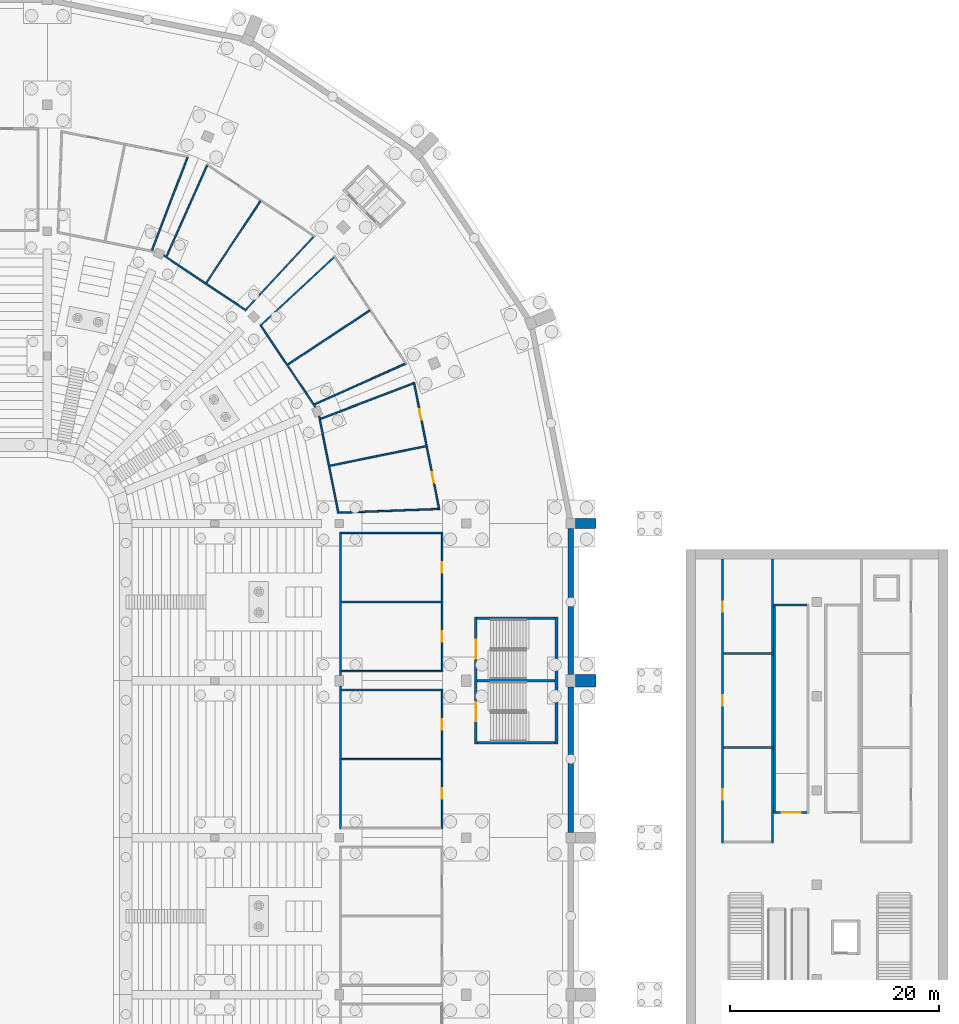
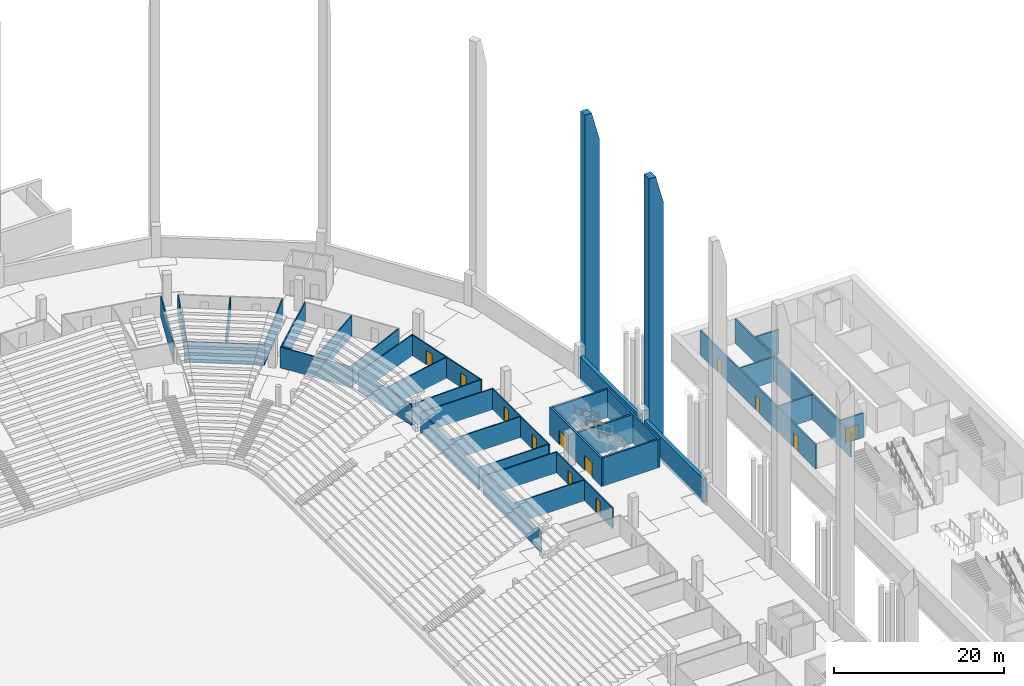
# One storey, part 38 of 115: 39 walls, 12 doors, 12 openings.
"""IFC4 building model written with IfcOpenShell, lengths in metres."""

from ifc_helpers import new_model, si_unit, direction, frame, frame_2d, origin, place, context, subcontext, project, spatial, polyline, rectangle, outline, extrude, material, layer, layer_set, type_object, element, fill, save


model = new_model("IFC4")

# Units and contexts
model_context = context("Model", 3, precision=1e-05, world=origin(), true_north=direction((0.0, 1.0)))
body_context = subcontext(model_context, "Body", "Model", "MODEL_VIEW")
ifc_project = project(units=[si_unit("LENGTHUNIT", "METRE"), si_unit("AREAUNIT", "SQUARE_METRE"), si_unit("VOLUMEUNIT", "CUBIC_METRE"), si_unit("PLANEANGLEUNIT", "RADIAN"), si_unit("MASSUNIT", "GRAM", prefix="KILO")], contexts=[model_context])

# Site, building, storey
site_placement = place(None, origin())
site = spatial("IfcSite", under=ifc_project, at=site_placement, CompositionType="ELEMENT")
building_placement = place(site_placement, origin())
building = spatial("IfcBuilding", under=site, at=building_placement, Name="Ogive Plaza Stadium", CompositionType="ELEMENT")
storey_placement = place(building_placement, frame((0.0, 0.0, -4.5)))
storey = spatial("IfcBuildingStorey", under=building, at=storey_placement, Name="B1", CompositionType="ELEMENT", Elevation=-4.5)

# Wall
ifc_material_1 = material(Name="Masonry blockwork", Category="masonry")
ifc_layer_1 = layer(ifc_material_1, 0.14990234375)
ifc_layer_set_1 = layer_set([ifc_layer_1], Name="Blockwork wall 150")
wall_type_1 = type_object("IfcWallType", Name="Blockwork wall 150", PredefinedType="SOLIDWALL", material=ifc_layer_set_1)
wall_1_placement = place(storey_placement, frame((62.0, 38.0, 0.0), z_axis=(0.0, 0.0, 1.0), x_axis=(0.0, 1.0, 0.0)))
element("IfcWall", 1, at=wall_1_placement, inside=storey, type_object=wall_type_1, Name="Wall B1 B01", PredefinedType="SOLIDWALL", context=body_context, shape_type="SweptSolid", body=[
    extrude(rectangle(XDim=13.675048828125, YDim=0.14990234375, at=frame_2d((6.83740234375, 0.0))), origin(), (0.0, 0.0, 1.0), 3.0),
])

# Wall, openings, doors
wall_2_placement = place(storey_placement, frame((71.699951171875, 38.324951171875, 0.0), z_axis=(0.0, 0.0, 1.0), x_axis=(0.0, 1.0, 0.0)))
wall_2 = element("IfcWall", 2, at=wall_2_placement, inside=storey, type_object=wall_type_1, Name="Wall B1 B01", PredefinedType="SOLIDWALL", context=body_context, shape_type="SweptSolid", body=[
    extrude(rectangle(XDim=13.35009765625, YDim=0.14990234375, at=frame_2d((6.675048828125, 0.0))), origin(), (0.0, 0.0, 1.0), 3.0),
])
opening_1_placement = place(wall_2_placement, frame((2.875, 0.0, 0.0)))
opening_1 = element("IfcOpeningElement", 3, at=opening_1_placement, cuts=wall_2, Name="Opening D0297", PredefinedType="OPENING", context=body_context, shape_type="SweptSolid", body=[
    extrude(rectangle(XDim=1.0, YDim=2.10009765625, at=frame_2d((0.5, 1.050048828125))), frame((0.0, 0.074951171875, 0.0), z_axis=(0.0, -1.0, 0.0), x_axis=(1.0, 0.0, 0.0)), (0.0, 0.0, 1.0), 0.14990234375),
])
opening_2_placement = place(wall_2_placement, frame((9.47509765625, 0.0, 0.0)))
opening_2 = element("IfcOpeningElement", 4, at=opening_2_placement, cuts=wall_2, Name="Opening D0298", PredefinedType="OPENING", context=body_context, shape_type="SweptSolid", body=[
    extrude(rectangle(XDim=1.0, YDim=2.10009765625, at=frame_2d((0.5, 1.050048828125))), frame((0.0, 0.074951171875, 0.0), z_axis=(0.0, -1.0, 0.0), x_axis=(1.0, 0.0, 0.0)), (0.0, 0.0, 1.0), 0.14990234375),
])
ifc_material_2 = material(Name="Steel ASTM A572 Grade 50", Category="steel")
door_type_1 = type_object("IfcDoorType", Name="Fire door FD60 1000 x 2100", OperationType="SINGLE_SWING_LEFT", PredefinedType="DOOR", material=ifc_material_2)
door_1_placement = place(opening_1_placement, origin())
door_1 = element("IfcDoor", 5, at=door_1_placement, inside=storey, type_object=door_type_1, Name="Home Team Changing Room B01 door", OperationType="SINGLE_SWING_LEFT", OverallHeight=2.10009765625, OverallWidth=1.0, PredefinedType="DOOR", context=body_context, shape_type="SweptSolid", body=[
    extrude(rectangle(XDim=1.0, YDim=2.10009765625, at=frame_2d((0.5, 1.050048828125))), frame((0.0, 0.02490234375, 0.0), z_axis=(0.0, -1.0, 0.0), x_axis=(1.0, 0.0, 0.0)), (0.0, 0.0, 1.0), 0.050048828125),
])
fill(opening_1, door_1)
door_2_placement = place(opening_2_placement, origin())
door_2 = element("IfcDoor", 6, at=door_2_placement, inside=storey, type_object=door_type_1, Name="Home Team Medical Room B01 door", OperationType="SINGLE_SWING_RIGHT", OverallHeight=2.10009765625, OverallWidth=1.0, PredefinedType="DOOR", context=body_context, shape_type="SweptSolid", body=[
    extrude(rectangle(XDim=1.0, YDim=2.10009765625, at=frame_2d((0.5, 1.050048828125))), frame((0.0, 0.02490234375, 0.0), z_axis=(0.0, -1.0, 0.0), x_axis=(1.0, 0.0, 0.0)), (0.0, 0.0, 1.0), 0.050048828125),
])
fill(opening_2, door_2)

# Walls
for number, where, z_axis, x_axis, name in (
    (7, (62.074951171875, 38.39990234375, 0.0), (0.0, 0.0, 1.0), (1.0, 0.0, 0.0), "Wall B1 B01"),
    (8, (62.074951171875, 45.0, 0.0), (0.0, 0.0, 1.0), (1.0, 0.0, 0.0), "Wall B1 B01"),
    (9, (62.074951171875, 51.60009765625, 0.0), (0.0, 0.0, 1.0), (1.0, 0.0, 0.0), "Wall B1 B01"),
):
    element("IfcWall", number, at=place(storey_placement, frame(where, z_axis=z_axis, x_axis=x_axis)), inside=storey, type_object=wall_type_1, Name=name, PredefinedType="SOLIDWALL", context=body_context, shape_type="SweptSolid", body=[
        extrude(rectangle(XDim=9.550048828125, YDim=0.14990234375, at=frame_2d((4.77490234375, 0.0))), origin(), (0.0, 0.0, 1.0), 3.0),
    ])
wall_3_placement = place(storey_placement, frame((62.0, 37.0, 0.0), z_axis=(0.0, 0.0, 1.0), x_axis=(0.0, -1.0, 0.0)))
element("IfcWall", 10, at=wall_3_placement, inside=storey, type_object=wall_type_1, Name="Wall B1 B02", PredefinedType="SOLIDWALL", context=body_context, shape_type="SweptSolid", body=[
    extrude(rectangle(XDim=13.675048828125, YDim=0.14990234375, at=frame_2d((6.83740234375, 0.0))), origin(), (0.0, 0.0, 1.0), 3.0),
])

# Wall, openings, doors
wall_4_placement = place(storey_placement, frame((71.699951171875, 36.675048828125, 0.0), z_axis=(0.0, 0.0, 1.0), x_axis=(0.0, -1.0, 0.0)))
wall_4 = element("IfcWall", 11, at=wall_4_placement, inside=storey, type_object=wall_type_1, Name="Wall B1 B02", PredefinedType="SOLIDWALL", context=body_context, shape_type="SweptSolid", body=[
    extrude(rectangle(XDim=13.35009765625, YDim=0.14990234375, at=frame_2d((6.675048828125, 0.0))), origin(), (0.0, 0.0, 1.0), 3.0),
])
opening_3_placement = place(wall_4_placement, frame((2.875, 0.0, 0.0)))
opening_3 = element("IfcOpeningElement", 12, at=opening_3_placement, cuts=wall_4, Name="Opening D0299", PredefinedType="OPENING", context=body_context, shape_type="SweptSolid", body=[
    extrude(rectangle(XDim=1.0, YDim=2.10009765625, at=frame_2d((0.5, 1.050048828125))), frame((0.0, 0.074951171875, 0.0), z_axis=(0.0, -1.0, 0.0), x_axis=(1.0, 0.0, 0.0)), (0.0, 0.0, 1.0), 0.14990234375),
])
opening_4_placement = place(wall_4_placement, frame((9.47509765625, 0.0, 0.0)))
opening_4 = element("IfcOpeningElement", 13, at=opening_4_placement, cuts=wall_4, Name="Opening D0300", PredefinedType="OPENING", context=body_context, shape_type="SweptSolid", body=[
    extrude(rectangle(XDim=1.0, YDim=2.10009765625, at=frame_2d((0.5, 1.050048828125))), frame((0.0, 0.074951171875, 0.0), z_axis=(0.0, -1.0, 0.0), x_axis=(1.0, 0.0, 0.0)), (0.0, 0.0, 1.0), 0.14990234375),
])
door_3_placement = place(opening_3_placement, origin())
door_3 = element("IfcDoor", 14, at=door_3_placement, inside=storey, type_object=door_type_1, Name="Home Team Medical Room B02 door", OperationType="SINGLE_SWING_RIGHT", OverallHeight=2.10009765625, OverallWidth=1.0, PredefinedType="DOOR", context=body_context, shape_type="SweptSolid", body=[
    extrude(rectangle(XDim=1.0, YDim=2.10009765625, at=frame_2d((0.5, 1.050048828125))), frame((0.0, 0.02490234375, 0.0), z_axis=(0.0, -1.0, 0.0), x_axis=(1.0, 0.0, 0.0)), (0.0, 0.0, 1.0), 0.050048828125),
])
fill(opening_3, door_3)
door_4_placement = place(opening_4_placement, origin())
door_4 = element("IfcDoor", 15, at=door_4_placement, inside=storey, type_object=door_type_1, Name="Warm-up Room B02 door", OperationType="SINGLE_SWING_LEFT", OverallHeight=2.10009765625, OverallWidth=1.0, PredefinedType="DOOR", context=body_context, shape_type="SweptSolid", body=[
    extrude(rectangle(XDim=1.0, YDim=2.10009765625, at=frame_2d((0.5, 1.050048828125))), frame((0.0, 0.02490234375, 0.0), z_axis=(0.0, -1.0, 0.0), x_axis=(1.0, 0.0, 0.0)), (0.0, 0.0, 1.0), 0.050048828125),
])
fill(opening_4, door_4)

# Walls
for number, where, z_axis, x_axis, name in (
    (16, (62.074951171875, 36.60009765625, 0.0), (0.0, 0.0, 1.0), (1.0, 0.0, 0.0), "Wall B1 B02"),
    (17, (62.074951171875, 30.0, 0.0), (0.0, 0.0, 1.0), (1.0, 0.0, 0.0), "Wall B1 B02"),
):
    element("IfcWall", number, at=place(storey_placement, frame(where, z_axis=z_axis, x_axis=x_axis)), inside=storey, type_object=wall_type_1, Name=name, PredefinedType="SOLIDWALL", context=body_context, shape_type="SweptSolid", body=[
        extrude(rectangle(XDim=9.550048828125, YDim=0.14990234375, at=frame_2d((4.77490234375, 0.0))), origin(), (0.0, 0.0, 1.0), 3.0),
    ])
wall_5_placement = place(storey_placement, frame((43.989501953125, 78.587890625, 0.0), z_axis=(0.0, 0.0, 1.0), x_axis=(0.357582432029, 0.93388157938, 0.0)))
element("IfcWall", 18, at=wall_5_placement, inside=storey, type_object=wall_type_1, Name="Wall B1 B37", PredefinedType="SOLIDWALL", context=body_context, shape_type="SweptSolid", body=[
    extrude(rectangle(XDim=9.50244140625, YDim=0.14990234375, at=frame_2d((4.751220703125, 0.0))), origin(), (0.0, 0.0, 1.0), 3.0),
])
wall_6_placement = place(storey_placement, frame((45.0966796875, 78.11376953125, 0.0), z_axis=(0.0, 0.0, 1.0), x_axis=(0.831463470141, -0.555579425305, 0.0)))
element("IfcWall", 19, at=wall_6_placement, inside=storey, type_object=wall_type_1, Name="Wall B1 B38", PredefinedType="SOLIDWALL", context=body_context, shape_type="SweptSolid", body=[
    extrude(rectangle(XDim=9.48046875, YDim=0.14990234375, at=frame_2d((4.740234375, 0.0))), origin(), (0.0, 0.0, 1.0), 3.0),
])
wall_7_placement = place(storey_placement, frame((45.38330078125, 78.010498046875, 0.0), z_axis=(0.0, 0.0, 1.0), x_axis=(0.407503936666, 0.913203450279, 0.0)))
element("IfcWall", 20, at=wall_7_placement, inside=storey, type_object=wall_type_1, Name="Wall B1 B38", PredefinedType="SOLIDWALL", context=body_context, shape_type="SweptSolid", body=[
    extrude(rectangle(XDim=9.50244140625, YDim=0.14990234375, at=frame_2d((4.751220703125, 0.0))), origin(), (0.0, 0.0, 1.0), 3.0),
])
wall_8_placement = place(storey_placement, frame((49.18017578125, 75.4736328125, 0.0), z_axis=(0.0, 0.0, 1.0), x_axis=(0.551278973714, 0.834320977287, 0.0)))
element("IfcWall", 21, at=wall_8_placement, inside=storey, type_object=wall_type_1, Name="Wall B1 B38", PredefinedType="SOLIDWALL", context=body_context, shape_type="SweptSolid", body=[
    extrude(rectangle(XDim=9.366455078125, YDim=0.14990234375, at=frame_2d((4.68310546875, 0.0))), origin(), (0.0, 0.0, 1.0), 3.0),
])
wall_9_placement = place(storey_placement, frame((52.976806640625, 72.936767578125, 0.0), z_axis=(0.0, 0.0, 1.0), x_axis=(0.680436292727, 0.732807240371, 0.0)))
element("IfcWall", 22, at=wall_9_placement, inside=storey, type_object=wall_type_1, Name="Wall B1 B38", PredefinedType="SOLIDWALL", context=body_context, shape_type="SweptSolid", body=[
    extrude(rectangle(XDim=9.486572265625, YDim=0.14990234375, at=frame_2d((4.7431640625, 0.0))), origin(), (0.0, 0.0, 1.0), 3.0),
])
wall_10_placement = place(storey_placement, frame((59.61376953125, 63.5966796875, 0.0), z_axis=(0.0, 0.0, 1.0), x_axis=(-0.555579425305, 0.831463470141, 0.0)))
element("IfcWall", 23, at=wall_10_placement, inside=storey, type_object=wall_type_1, Name="Wall B1 B39", PredefinedType="SOLIDWALL", context=body_context, shape_type="SweptSolid", body=[
    extrude(rectangle(XDim=9.48046875, YDim=0.14990234375, at=frame_2d((4.740234375, 0.0))), origin(), (0.0, 0.0, 1.0), 3.0),
])
wall_11_placement = place(storey_placement, frame((59.510498046875, 63.88330078125, 0.0), z_axis=(0.0, 0.0, 1.0), x_axis=(0.913203450279, 0.407503936666, 0.0)))
element("IfcWall", 24, at=wall_11_placement, inside=storey, type_object=wall_type_1, Name="Wall B1 B39", PredefinedType="SOLIDWALL", context=body_context, shape_type="SweptSolid", body=[
    extrude(rectangle(XDim=9.50244140625, YDim=0.14990234375, at=frame_2d((4.751220703125, 0.0))), origin(), (0.0, 0.0, 1.0), 3.0),
])
wall_12_placement = place(storey_placement, frame((56.9736328125, 67.68017578125, 0.0), z_axis=(0.0, 0.0, 1.0), x_axis=(0.834320977287, 0.551278973714, 0.0)))
element("IfcWall", 25, at=wall_12_placement, inside=storey, type_object=wall_type_1, Name="Wall B1 B39", PredefinedType="SOLIDWALL", context=body_context, shape_type="SweptSolid", body=[
    extrude(rectangle(XDim=9.366455078125, YDim=0.14990234375, at=frame_2d((4.68310546875, 0.0))), origin(), (0.0, 0.0, 1.0), 3.0),
])
wall_13_placement = place(storey_placement, frame((54.436767578125, 71.476806640625, 0.0), z_axis=(0.0, 0.0, 1.0), x_axis=(0.732807240371, 0.680436292727, 0.0)))
element("IfcWall", 26, at=wall_13_placement, inside=storey, type_object=wall_type_1, Name="Wall B1 B39", PredefinedType="SOLIDWALL", context=body_context, shape_type="SweptSolid", body=[
    extrude(rectangle(XDim=9.486572265625, YDim=0.14990234375, at=frame_2d((4.7431640625, 0.0))), origin(), (0.0, 0.0, 1.0), 3.0),
])
wall_14_placement = place(storey_placement, frame((59.958251953125, 62.76513671875, 0.0), z_axis=(0.0, 0.0, 1.0), x_axis=(0.195076015612, -0.980788126016, 0.0)))
element("IfcWall", 27, at=wall_14_placement, inside=storey, type_object=wall_type_1, Name="Wall B1 B40", PredefinedType="SOLIDWALL", context=body_context, shape_type="SweptSolid", body=[
    extrude(rectangle(XDim=9.480224609375, YDim=0.14990234375, at=frame_2d((4.740234375, 0.0))), origin(), (0.0, 0.0, 1.0), 3.0),
])

# Wall, openings, doors
wall_15_placement = place(storey_placement, frame((69.014892578125, 65.99853515625, 0.0), z_axis=(0.0, 0.0, 1.0), x_axis=(0.195089091876, -0.980785525093, 0.0)))
wall_15 = element("IfcWall", 28, at=wall_15_placement, inside=storey, type_object=wall_type_1, Name="Wall B1 B40", PredefinedType="SOLIDWALL", context=body_context, shape_type="SweptSolid", body=[
    extrude(rectangle(XDim=12.435546875, YDim=0.14990234375, at=frame_2d((6.2177734375, 0.0))), origin(), (0.0, 0.0, 1.0), 3.0),
])
opening_5_placement = place(wall_15_placement, frame((2.65185546875, 0.0, 0.0)))
opening_5 = element("IfcOpeningElement", 29, at=opening_5_placement, cuts=wall_15, Name="Opening D0373", PredefinedType="OPENING", context=body_context, shape_type="SweptSolid", body=[
    extrude(rectangle(XDim=1.0, YDim=2.10009765625, at=frame_2d((0.5, 1.050048828125))), frame((0.0, 0.074951171875, 0.0), z_axis=(0.0, -1.0, 0.0), x_axis=(1.0, 0.0, 0.0)), (0.0, 0.0, 1.0), 0.14990234375),
])
opening_6_placement = place(wall_15_placement, frame((8.78369140625, 0.0, 0.0)))
opening_6 = element("IfcOpeningElement", 30, at=opening_6_placement, cuts=wall_15, Name="Opening D0374", PredefinedType="OPENING", context=body_context, shape_type="SweptSolid", body=[
    extrude(rectangle(XDim=1.0, YDim=2.10009765625, at=frame_2d((0.5, 1.050048828125))), frame((0.0, 0.074951171875, 0.0), z_axis=(0.0, -1.0, 0.0), x_axis=(1.0, 0.0, 0.0)), (0.0, 0.0, 1.0), 0.14990234375),
])
door_5_placement = place(opening_5_placement, origin())
door_5 = element("IfcDoor", 31, at=door_5_placement, inside=storey, type_object=door_type_1, Name="Kitchen Dry Store B40 door", OperationType="SINGLE_SWING_LEFT", OverallHeight=2.10009765625, OverallWidth=1.0, PredefinedType="DOOR", context=body_context, shape_type="SweptSolid", body=[
    extrude(rectangle(XDim=1.0, YDim=2.10009765625, at=frame_2d((0.5, 1.050048828125))), frame((0.0, 0.02490234375, 0.0), z_axis=(0.0, -1.0, 0.0), x_axis=(1.0, 0.0, 0.0)), (0.0, 0.0, 1.0), 0.050048828125),
])
fill(opening_5, door_5)
door_6_placement = place(opening_6_placement, origin())
door_6 = element("IfcDoor", 32, at=door_6_placement, inside=storey, type_object=door_type_1, Name="Home Team Changing Room B40 door", OperationType="SINGLE_SWING_RIGHT", OverallHeight=2.10009765625, OverallWidth=1.0, PredefinedType="DOOR", context=body_context, shape_type="SweptSolid", body=[
    extrude(rectangle(XDim=1.0, YDim=2.10009765625, at=frame_2d((0.5, 1.050048828125))), frame((0.0, 0.02490234375, 0.0), z_axis=(0.0, -1.0, 0.0), x_axis=(1.0, 0.0, 0.0)), (0.0, 0.0, 1.0), 0.050048828125),
])
fill(opening_6, door_6)

# Walls
wall_16_placement = place(storey_placement, frame((60.087890625, 62.489501953125, 0.0), z_axis=(0.0, 0.0, 1.0), x_axis=(0.93388157938, 0.357582432029, 0.0)))
element("IfcWall", 33, at=wall_16_placement, inside=storey, type_object=wall_type_1, Name="Wall B1 B40", PredefinedType="SOLIDWALL", context=body_context, shape_type="SweptSolid", body=[
    extrude(rectangle(XDim=9.50244140625, YDim=0.14990234375, at=frame_2d((4.751220703125, 0.0))), origin(), (0.0, 0.0, 1.0), 3.0),
])
wall_17_placement = place(storey_placement, frame((60.978759765625, 58.010986328125, 0.0), z_axis=(0.0, 0.0, 1.0), x_axis=(0.979770487126, 0.200124442675, 0.0)))
element("IfcWall", 34, at=wall_17_placement, inside=storey, type_object=wall_type_1, Name="Wall B1 B40", PredefinedType="SOLIDWALL", context=body_context, shape_type="SweptSolid", body=[
    extrude(rectangle(XDim=9.36669921875, YDim=0.14990234375, at=frame_2d((4.683349609375, 0.0))), origin(), (0.0, 0.0, 1.0), 3.0),
])
wall_18_placement = place(storey_placement, frame((61.86962890625, 53.532470703125, 0.0), z_axis=(0.0, 0.0, 1.0), x_axis=(0.999315010022, 0.037006901301, 0.0)))
element("IfcWall", 35, at=wall_18_placement, inside=storey, type_object=wall_type_1, Name="Wall B1 B40", PredefinedType="SOLIDWALL", context=body_context, shape_type="SweptSolid", body=[
    extrude(rectangle(XDim=9.48681640625, YDim=0.14990234375, at=frame_2d((4.743408203125, 0.0))), origin(), (0.0, 0.0, 1.0), 3.0),
])
ifc_material_3 = material(Name="Concrete C45/55 precast", Category="concrete")
ifc_layer_2 = layer(ifc_material_3, 0.949951171875)
ifc_material_4 = material(Name="Cast stone (reconstituted limestone)", Category="masonry")
ifc_layer_3 = layer(ifc_material_4, 0.050048828125)
ifc_layer_set_2 = layer_set([ifc_layer_2, ifc_layer_3], Name="Concrete C45/55 precast, cast stone facing")
wall_type_2 = type_object("IfcWallType", Name="Buttress pier 1000", PredefinedType="SOLIDWALL", material=ifc_layer_set_2)
wall_19_placement = place(storey_placement, frame((84.449951171875, 52.5, 0.0), z_axis=(0.0, 0.0, 1.0), x_axis=(1.0, 0.0, 0.0)))
element("IfcWall", 36, at=wall_19_placement, inside=storey, type_object=wall_type_2, Name="BUTTRESS PIER R01", PredefinedType="SOLIDWALL", context=body_context, shape_type="SweptSolid", body=[
    extrude(outline(polyline([(0.0, 0.0), (1.949951171875, 0.0), (1.949951171875, 33.5), (0.89990234375, 37.5), (0.0, 37.5), (0.0, 0.0)])), frame((0.0, 0.5, 0.0), z_axis=(0.0, -1.0, 0.0), x_axis=(1.0, 0.0, 0.0)), (0.0, 0.0, 1.0), 1.0),
])
ifc_material_5 = material(Name="Concrete C45/55 precast", Category="concrete")
ifc_layer_4 = layer(ifc_material_5, 1.14990234375)
ifc_material_6 = material(Name="Cast stone (reconstituted limestone)", Category="masonry")
ifc_layer_5 = layer(ifc_material_6, 0.050048828125)
ifc_layer_set_3 = layer_set([ifc_layer_4, ifc_layer_5], Name="Concrete C45/55 precast, cast stone facing")
wall_type_3 = type_object("IfcWallType", Name="Buttress pier 1200", PredefinedType="SOLIDWALL", material=ifc_layer_set_3)
wall_20_placement = place(storey_placement, frame((84.449951171875, 37.5, 0.0), z_axis=(0.0, 0.0, 1.0), x_axis=(1.0, 0.0, 0.0)))
element("IfcWall", 37, at=wall_20_placement, inside=storey, type_object=wall_type_3, Name="BUTTRESS PIER R02", PredefinedType="SOLIDWALL", context=body_context, shape_type="SweptSolid", body=[
    extrude(outline(polyline([(0.0, 0.0), (1.949951171875, 0.0), (1.949951171875, 33.5), (0.89990234375, 37.5), (0.0, 37.5), (0.0, 0.0)])), frame((0.0, 0.60009765625, 0.0), z_axis=(0.0, -1.0, 0.0), x_axis=(1.0, 0.0, 0.0)), (0.0, 0.0, 1.0), 1.199951171875),
])

# Wall, openings, doors
ifc_material_7 = material(Name="Concrete C40/50", Category="concrete")
ifc_layer_6 = layer(ifc_material_7, 0.25)
ifc_layer_set_4 = layer_set([ifc_layer_6], Name="Concrete C40/50")
wall_type_4 = type_object("IfcWallType", Name="Core wall 250", PredefinedType="SHEAR", material=ifc_layer_set_4)
wall_21_placement = place(storey_placement, frame((74.925048828125, 31.425048828125, 0.0), z_axis=(0.0, 0.0, 1.0), x_axis=(0.0, 1.0, 0.0)))
wall_21 = element("IfcWall", 38, at=wall_21_placement, inside=storey, type_object=wall_type_4, Name="Stair core R02 inner wall", PredefinedType="SHEAR", context=body_context, shape_type="SweptSolid", body=[
    extrude(rectangle(XDim=12.14990234375, YDim=0.25, at=frame_2d((6.074951171875, 0.0))), origin(), (0.0, 0.0, 1.0), 4.090087890625),
])
opening_7_placement = place(wall_21_placement, frame((2.199951171875, 0.0, 0.0)))
opening_7 = element("IfcOpeningElement", 39, at=opening_7_placement, cuts=wall_21, Name="Opening D0041", PredefinedType="OPENING", context=body_context, shape_type="SweptSolid", body=[
    extrude(rectangle(XDim=1.800048828125, YDim=2.10009765625, at=frame_2d((0.89990234375, 1.050048828125))), frame((0.0, 0.125, 0.0), z_axis=(0.0, -1.0, 0.0), x_axis=(1.0, 0.0, 0.0)), (0.0, 0.0, 1.0), 0.25),
])
opening_8_placement = place(wall_21_placement, frame((8.14990234375, 0.0, 0.0)))
opening_8 = element("IfcOpeningElement", 40, at=opening_8_placement, cuts=wall_21, Name="Opening D0042", PredefinedType="OPENING", context=body_context, shape_type="SweptSolid", body=[
    extrude(rectangle(XDim=1.800048828125, YDim=2.10009765625, at=frame_2d((0.89990234375, 1.050048828125))), frame((0.0, 0.125, 0.0), z_axis=(0.0, -1.0, 0.0), x_axis=(1.0, 0.0, 0.0)), (0.0, 0.0, 1.0), 0.25),
])
ifc_material_8 = material(Name="Steel ASTM A572 Grade 50", Category="steel")
door_type_2 = type_object("IfcDoorType", Name="Fire door FD90 pair 1800 x 2100", OperationType="DOUBLE_DOOR_SINGLE_SWING", PredefinedType="DOOR", material=ifc_material_8)
door_7_placement = place(opening_7_placement, origin())
door_7 = element("IfcDoor", 41, at=door_7_placement, inside=storey, type_object=door_type_2, Name="Exit stair R02A door B1", OperationType="DOUBLE_DOOR_SINGLE_SWING", OverallHeight=2.10009765625, OverallWidth=1.800048828125, PredefinedType="DOOR", context=body_context, shape_type="SweptSolid", body=[
    extrude(rectangle(XDim=1.800048828125, YDim=2.10009765625, at=frame_2d((0.89990234375, 1.050048828125))), frame((0.0, 0.02490234375, 0.0), z_axis=(0.0, -1.0, 0.0), x_axis=(1.0, 0.0, 0.0)), (0.0, 0.0, 1.0), 0.050048828125),
])
fill(opening_7, door_7)
door_8_placement = place(opening_8_placement, origin())
door_8 = element("IfcDoor", 42, at=door_8_placement, inside=storey, type_object=door_type_2, Name="Exit stair R02B door B1", OperationType="DOUBLE_DOOR_SINGLE_SWING", OverallHeight=2.10009765625, OverallWidth=1.800048828125, PredefinedType="DOOR", context=body_context, shape_type="SweptSolid", body=[
    extrude(rectangle(XDim=1.800048828125, YDim=2.10009765625, at=frame_2d((0.89990234375, 1.050048828125))), frame((0.0, 0.02490234375, 0.0), z_axis=(0.0, -1.0, 0.0), x_axis=(1.0, 0.0, 0.0)), (0.0, 0.0, 1.0), 0.050048828125),
])
fill(opening_8, door_8)

# Walls
wall_22_placement = place(storey_placement, frame((82.635009765625, 31.425048828125, 0.0), z_axis=(0.0, 0.0, 1.0), x_axis=(0.0, 1.0, 0.0)))
element("IfcWall", 43, at=wall_22_placement, inside=storey, type_object=wall_type_4, Name="Stair core R02 outer wall", PredefinedType="SHEAR", context=body_context, shape_type="SweptSolid", body=[
    extrude(rectangle(XDim=12.14990234375, YDim=0.25, at=frame_2d((6.074951171875, 0.0))), origin(), (0.0, 0.0, 1.0), 4.090087890625),
])
for number, where, z_axis, x_axis, name in (
    (44, (75.050048828125, 31.550048828125, 0.0), (0.0, 0.0, 1.0), (1.0, 0.0, 0.0), "Stair core R02 side wall"),
    (45, (75.050048828125, 43.449951171875, 0.0), (0.0, 0.0, 1.0), (1.0, 0.0, 0.0), "Stair core R02 side wall"),
    (46, (75.050048828125, 37.5, 0.0), (0.0, 0.0, 1.0), (1.0, 0.0, 0.0), "Stair core R02 centre wall"),
):
    element("IfcWall", number, at=place(storey_placement, frame(where, z_axis=z_axis, x_axis=x_axis)), inside=storey, type_object=wall_type_4, Name=name, PredefinedType="SHEAR", context=body_context, shape_type="SweptSolid", body=[
        extrude(rectangle(XDim=7.4599609375, YDim=0.25, at=frame_2d((3.72998046875, 0.0))), origin(), (0.0, 0.0, 1.0), 4.090087890625),
    ])
ifc_material_9 = material(Name="Concrete C40/50", Category="concrete")
ifc_layer_7 = layer(ifc_material_9, 0.5)
ifc_layer_set_5 = layer_set([ifc_layer_7], Name="Concrete C40/50")
wall_type_5 = type_object("IfcWallType", Name="RC retaining wall 500", PredefinedType="SOLIDWALL", material=ifc_layer_set_5)
for number, where, z_axis, x_axis, name in (
    (47, (84.0, 52.0, -0.39990234375), (0.0, 0.0, 1.0), (0.0, -1.0, 0.0), "Retaining wall B01"),
    (48, (84.0, 36.89990234375, -0.39990234375), (0.0, 0.0, 1.0), (0.0, -1.0, 0.0), "Retaining wall B02"),
):
    element("IfcWall", number, at=place(storey_placement, frame(where, z_axis=z_axis, x_axis=x_axis)), inside=storey, type_object=wall_type_5, Name=name, PredefinedType="SOLIDWALL", context=body_context, shape_type="SweptSolid", body=[
        extrude(rectangle(XDim=13.89990234375, YDim=0.5, at=frame_2d((6.949951171875, 0.0))), origin(), (0.0, 0.0, 1.0), 3.489990234375),
    ])

# Wall, openings, doors
ifc_material_10 = material(Name="Masonry blockwork", Category="masonry")
ifc_layer_8 = layer(ifc_material_10, 0.199951171875)
ifc_layer_set_6 = layer_set([ifc_layer_8], Name="Room partition 200")
wall_type_6 = type_object("IfcWallType", Name="Room partition 200", PredefinedType="PARTITIONING", material=ifc_layer_set_6)
wall_23_placement = place(storey_placement, frame((98.5, 22.0, 0.0), z_axis=(0.0, 0.0, 1.0), x_axis=(0.0, 1.0, 0.0)))
wall_23 = element("IfcWall", 49, at=wall_23_placement, inside=storey, type_object=wall_type_6, Name="Room partition 200 B1", PredefinedType="PARTITIONING", context=body_context, shape_type="SweptSolid", body=[
    extrude(rectangle(XDim=27.10009765625, YDim=0.199951171875, at=frame_2d((13.550048828125, 0.0))), origin(), (0.0, 0.0, 1.0), 3.5),
])
opening_9_placement = place(wall_23_placement, frame((22.050048828125, 0.0, 0.0)))
opening_9 = element("IfcOpeningElement", 50, at=opening_9_placement, cuts=wall_23, Name="Opening SD029", PredefinedType="OPENING", context=body_context, shape_type="SweptSolid", body=[
    extrude(rectangle(XDim=1.0, YDim=2.10009765625, at=frame_2d((0.5, 1.050048828125))), frame((0.0, 0.10009765625, 0.0), z_axis=(0.0, -1.0, 0.0), x_axis=(1.0, 0.0, 0.0)), (0.0, 0.0, 1.0), 0.199951171875),
])
opening_10_placement = place(wall_23_placement, frame((13.10009765625, 0.0, 0.0)))
opening_10 = element("IfcOpeningElement", 51, at=opening_10_placement, cuts=wall_23, Name="Opening SD030", PredefinedType="OPENING", context=body_context, shape_type="SweptSolid", body=[
    extrude(rectangle(XDim=1.0, YDim=2.10009765625, at=frame_2d((0.5, 1.050048828125))), frame((0.0, 0.10009765625, 0.0), z_axis=(0.0, -1.0, 0.0), x_axis=(1.0, 0.0, 0.0)), (0.0, 0.0, 1.0), 0.199951171875),
])
opening_11_placement = place(wall_23_placement, frame((4.10009765625, 0.0, 0.0)))
opening_11 = element("IfcOpeningElement", 52, at=opening_11_placement, cuts=wall_23, Name="Opening SD031", PredefinedType="OPENING", context=body_context, shape_type="SweptSolid", body=[
    extrude(rectangle(XDim=1.0, YDim=2.10009765625, at=frame_2d((0.5, 1.050048828125))), frame((0.0, 0.10009765625, 0.0), z_axis=(0.0, -1.0, 0.0), x_axis=(1.0, 0.0, 0.0)), (0.0, 0.0, 1.0), 0.199951171875),
])
ifc_material_11 = material(Name="Steel ASTM A572 Grade 50", Category="steel")
door_type_3 = type_object("IfcDoorType", Name="Fire door FD30S 1000 x 2100", OperationType="SINGLE_SWING_LEFT", PredefinedType="DOOR", material=ifc_material_11)
door_9_placement = place(opening_9_placement, origin())
door_9 = element("IfcDoor", 53, at=door_9_placement, inside=storey, type_object=door_type_3, Name="Door SD029", OperationType="SINGLE_SWING_RIGHT", OverallHeight=2.10009765625, OverallWidth=1.0, PredefinedType="DOOR", context=body_context, shape_type="SweptSolid", body=[
    extrude(rectangle(XDim=1.0, YDim=2.10009765625, at=frame_2d((0.5, 1.050048828125))), frame((0.0, 0.02490234375, 0.0), z_axis=(0.0, -1.0, 0.0), x_axis=(1.0, 0.0, 0.0)), (0.0, 0.0, 1.0), 0.050048828125),
])
fill(opening_9, door_9)
door_10_placement = place(opening_10_placement, origin())
door_10 = element("IfcDoor", 54, at=door_10_placement, inside=storey, type_object=door_type_3, Name="Door SD030", OperationType="SINGLE_SWING_RIGHT", OverallHeight=2.10009765625, OverallWidth=1.0, PredefinedType="DOOR", context=body_context, shape_type="SweptSolid", body=[
    extrude(rectangle(XDim=1.0, YDim=2.10009765625, at=frame_2d((0.5, 1.050048828125))), frame((0.0, 0.02490234375, 0.0), z_axis=(0.0, -1.0, 0.0), x_axis=(1.0, 0.0, 0.0)), (0.0, 0.0, 1.0), 0.050048828125),
])
fill(opening_10, door_10)
door_11_placement = place(opening_11_placement, origin())
door_11 = element("IfcDoor", 55, at=door_11_placement, inside=storey, type_object=door_type_3, Name="Door SD031", OperationType="SINGLE_SWING_LEFT", OverallHeight=2.10009765625, OverallWidth=1.0, PredefinedType="DOOR", context=body_context, shape_type="SweptSolid", body=[
    extrude(rectangle(XDim=1.0, YDim=2.10009765625, at=frame_2d((0.5, 1.050048828125))), frame((0.0, 0.02490234375, 0.0), z_axis=(0.0, -1.0, 0.0), x_axis=(1.0, 0.0, 0.0)), (0.0, 0.0, 1.0), 0.050048828125),
])
fill(opening_11, door_11)

# Walls
wall_24_placement = place(storey_placement, frame((103.25, 22.0, 0.0), z_axis=(0.0, 0.0, 1.0), x_axis=(0.0, 1.0, 0.0)))
element("IfcWall", 56, at=wall_24_placement, inside=storey, type_object=wall_type_6, Name="Room partition 200 B1", PredefinedType="PARTITIONING", context=body_context, shape_type="SweptSolid", body=[
    extrude(rectangle(XDim=27.10009765625, YDim=0.199951171875, at=frame_2d((13.550048828125, 0.0))), origin(), (0.0, 0.0, 1.0), 3.5),
])
for number, where, z_axis, x_axis, name in (
    (57, (98.60009765625, 40.10009765625, 0.0), (0.0, 0.0, 1.0), (1.0, 0.0, 0.0), "Room partition 200 B1"),
    (58, (98.60009765625, 31.10009765625, 0.0), (0.0, 0.0, 1.0), (1.0, 0.0, 0.0), "Room partition 200 B1"),
):
    element("IfcWall", number, at=place(storey_placement, frame(where, z_axis=z_axis, x_axis=x_axis)), inside=storey, type_object=wall_type_6, Name=name, PredefinedType="PARTITIONING", context=body_context, shape_type="SweptSolid", body=[
        extrude(rectangle(XDim=4.75, YDim=0.199951171875, at=frame_2d((2.375, 0.0))), origin(), (0.0, 0.0, 1.0), 3.5),
    ])
ifc_material_12 = material(Name="Concrete C40/50", Category="concrete")
ifc_layer_9 = layer(ifc_material_12, 0.199951171875)
ifc_layer_set_7 = layer_set([ifc_layer_9], Name="Concrete C40/50")
wall_type_7 = type_object("IfcWallType", Name="Stair enclosure wall 200", PredefinedType="SHEAR", material=ifc_layer_set_7)
wall_25_placement = place(storey_placement, frame((103.449951171875, 24.800048828125, 0.0), z_axis=(0.0, 0.0, 1.0), x_axis=(0.0, 1.0, 0.0)))
element("IfcWall", 59, at=wall_25_placement, inside=storey, type_object=wall_type_7, Name="Stair enclosure wall 200 B1 west", PredefinedType="SHEAR", context=body_context, shape_type="SweptSolid", body=[
    extrude(rectangle(XDim=20.0, YDim=0.199951171875, at=frame_2d((10.0, 0.0))), origin(), (0.0, 0.0, 1.0), 3.5),
])

# Wall, opening, door
wall_26_placement = place(storey_placement, frame((103.35009765625, 24.89990234375, 0.0), z_axis=(0.0, 0.0, 1.0), x_axis=(1.0, 0.0, 0.0)))
wall_26 = element("IfcWall", 60, at=wall_26_placement, inside=storey, type_object=wall_type_7, Name="Stair enclosure wall 200 B1 south", PredefinedType="SHEAR", context=body_context, shape_type="SweptSolid", body=[
    extrude(rectangle(XDim=3.199951171875, YDim=0.199951171875, at=frame_2d((1.60009765625, 0.0))), origin(), (0.0, 0.0, 1.0), 3.5),
])
opening_12_placement = place(wall_26_placement, frame((0.800048828125, 0.0, 0.0)))
opening_12 = element("IfcOpeningElement", 61, at=opening_12_placement, cuts=wall_26, Name="Opening SD006", PredefinedType="OPENING", context=body_context, shape_type="SweptSolid", body=[
    extrude(rectangle(XDim=1.800048828125, YDim=2.10009765625, at=frame_2d((0.89990234375, 1.050048828125))), frame((0.0, 0.10009765625, 0.0), z_axis=(0.0, -1.0, 0.0), x_axis=(1.0, 0.0, 0.0)), (0.0, 0.0, 1.0), 0.199951171875),
])
ifc_material_13 = material(Name="Steel fire door set", Category="steel")
door_type_4 = type_object("IfcDoorType", Name="Fire door double FD60 1800 x 2100", OperationType="DOUBLE_DOOR_SINGLE_SWING", PredefinedType="DOOR", material=ifc_material_13)
door_12_placement = place(opening_12_placement, origin())
door_12 = element("IfcDoor", 62, at=door_12_placement, inside=storey, type_object=door_type_4, Name="Door SD006", OperationType="DOUBLE_DOOR_SINGLE_SWING", OverallHeight=2.10009765625, OverallWidth=1.800048828125, PredefinedType="DOOR", context=body_context, shape_type="SweptSolid", body=[
    extrude(rectangle(XDim=1.800048828125, YDim=2.10009765625, at=frame_2d((0.89990234375, 1.050048828125))), frame((0.0, 0.02490234375, 0.0), z_axis=(0.0, -1.0, 0.0), x_axis=(1.0, 0.0, 0.0)), (0.0, 0.0, 1.0), 0.050048828125),
])
fill(opening_12, door_12)

# Wall
wall_27_placement = place(storey_placement, frame((103.35009765625, 44.699951171875, 0.0), z_axis=(0.0, 0.0, 1.0), x_axis=(1.0, 0.0, 0.0)))
element("IfcWall", 63, at=wall_27_placement, inside=storey, type_object=wall_type_7, Name="Stair enclosure wall 200 B1 north", PredefinedType="SHEAR", context=body_context, shape_type="SweptSolid", body=[
    extrude(rectangle(XDim=3.199951171875, YDim=0.199951171875, at=frame_2d((1.60009765625, 0.0))), origin(), (0.0, 0.0, 1.0), 3.5),
])

save(model, "model.ifc")
